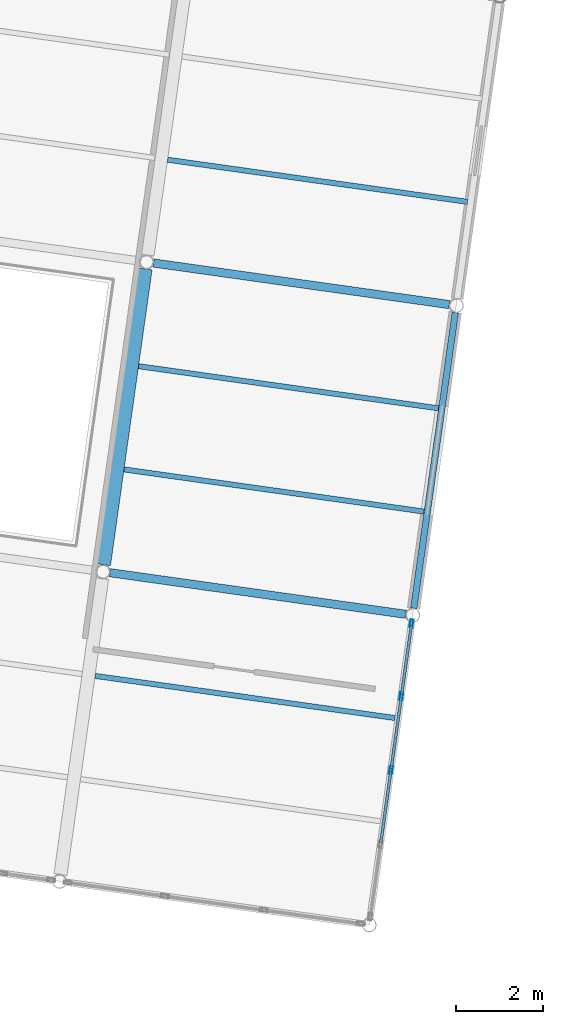
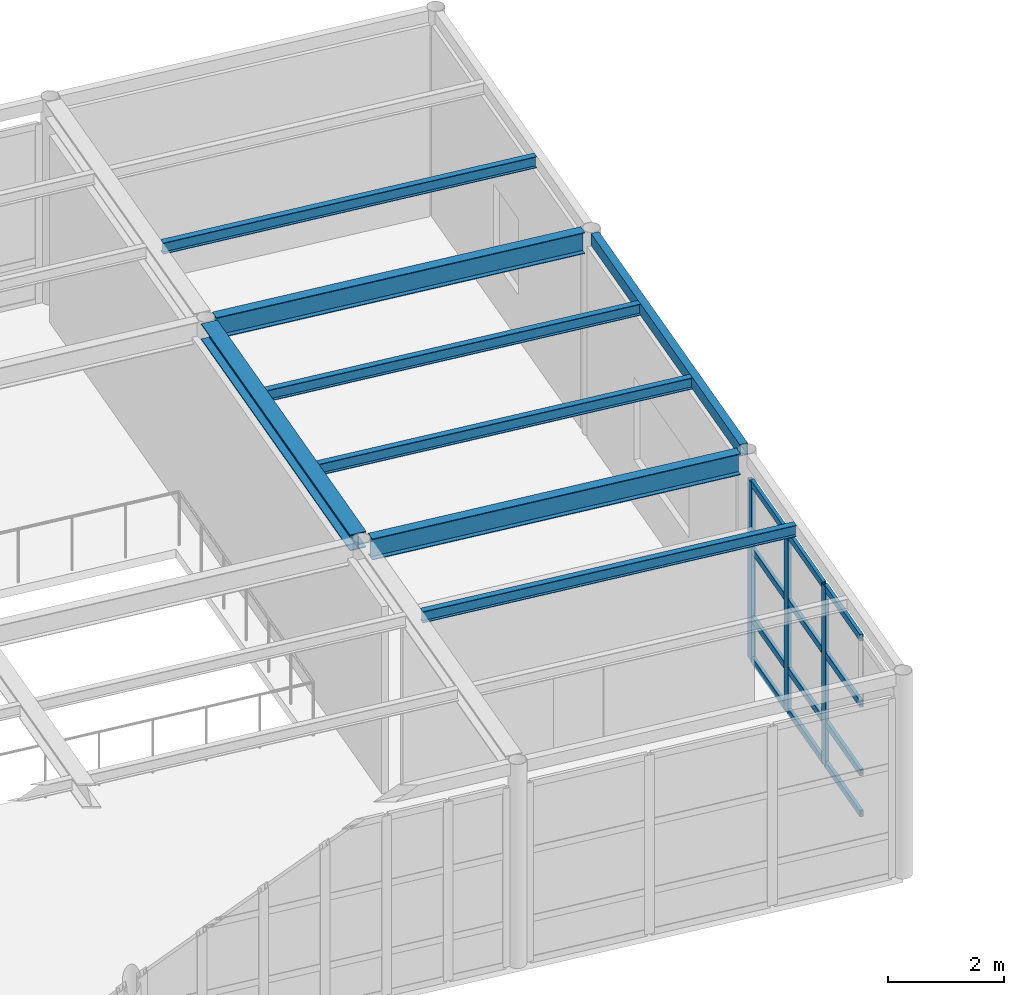
# One storey, part 35 of 80: 15 members, 8 beams, 1 element without a shape of its own.
"""IFC4 building model written with IfcOpenShell, lengths in metres."""

from ifc_helpers import new_model, si_unit, direction, frame, origin, origin_2d, place, context, subcontext, project, spatial, hollow_rectangle, i_section, extrude, material, layer, layer_set, material_profile, profile_set, type_object, element, aggregate, save


model = new_model("IFC4")

# Units and contexts
model_context = context("Model", 3, precision=1e-05, world=origin(), true_north=direction((0.0, 1.0)))
body_context = subcontext(model_context, "Body", "Model", "MODEL_VIEW")
ifc_project = project(units=[si_unit("LENGTHUNIT", "METRE"), si_unit("AREAUNIT", "SQUARE_METRE"), si_unit("VOLUMEUNIT", "CUBIC_METRE"), si_unit("PLANEANGLEUNIT", "RADIAN"), si_unit("MASSUNIT", "GRAM", prefix="KILO")], contexts=[model_context])

# Site, building, storey
site_placement = place(None, origin())
site = spatial("IfcSite", under=ifc_project, at=site_placement, CompositionType="ELEMENT")
building_placement = place(site_placement, origin())
building = spatial("IfcBuilding", under=site, at=building_placement, Name="Kharisveld Research Institute", CompositionType="ELEMENT")
storey_placement = place(building_placement, frame((0.0, 0.0, 5.10009765625)))
storey = spatial("IfcBuildingStorey", under=building, at=storey_placement, Name="L01", CompositionType="ELEMENT", Elevation=5.10009765625)

# Beams
ifc_material_1 = material(Name="Steel S355JR", Category="steel")
ifc_material_profile_1 = material_profile(ifc_material_1, i_section(OverallWidth=0.300048828125, OverallDepth=0.340087890625, WebThickness=0.011962890625, FlangeThickness=0.021484375, at=origin_2d()))
ifc_profile_set_1 = profile_set([ifc_material_profile_1], Name="Steel S355JR")
beam_type_1 = type_object("IfcBeamType", Name="BM_ST_HEA300", PredefinedType="BEAM", material=ifc_profile_set_1)
beam_1_placement = place(storey_placement, frame((97.414306640625, 21.7841796875, 4.139892578125), z_axis=(0.139184107758, 0.990266521775, 0.0), x_axis=(-0.990266521775, 0.139184107758, 0.0)))
element("IfcBeam", 1, at=beam_1_placement, inside=storey, type_object=beam_type_1, Name="BM:V4:L01:V3_1", PredefinedType="BEAM", context=body_context, shape_type="SweptSolid", body=[
    extrude(i_section(OverallWidth=0.300048828125, OverallDepth=0.340087890625, WebThickness=0.011962890625, FlangeThickness=0.021484375, at=origin_2d()), origin(), (0.0, 0.0, 1.0), 6.8759765625),
])
ifc_material_2 = material(Name="Steel S355JR", Category="steel")
ifc_material_profile_2 = material_profile(ifc_material_2, i_section(OverallWidth=0.18994140625, OverallDepth=0.449951171875, WebThickness=0.009521484375, FlangeThickness=0.0146484375, at=origin_2d()))
ifc_profile_set_2 = profile_set([ifc_material_profile_2], Name="Steel S355JR")
beam_type_2 = type_object("IfcBeamType", Name="BM_ST_IPE450", PredefinedType="BEAM", material=ifc_profile_set_2)
beam_2_placement = place(storey_placement, frame((97.55224609375, 21.601318359375, 4.0849609375), z_axis=(0.990266521775, -0.139184107758, 0.0), x_axis=(0.139184107758, 0.990266521775, 0.0)))
element("IfcBeam", 2, at=beam_2_placement, inside=storey, type_object=beam_type_2, Name="BM:V4:L01:U3_1", PredefinedType="BEAM", context=body_context, shape_type="SweptSolid", body=[
    extrude(i_section(OverallWidth=0.18994140625, OverallDepth=0.449951171875, WebThickness=0.009521484375, FlangeThickness=0.0146484375, at=origin_2d()), origin(), (0.0, 0.0, 1.0), 6.8759765625),
])
beam_3_placement = place(storey_placement, frame((98.55419921875, 28.731201171875, 4.0849609375), z_axis=(0.990267209571, -0.139179214138, 0.0), x_axis=(0.139179214138, 0.990267209571, 0.0)))
element("IfcBeam", 3, at=beam_3_placement, inside=storey, type_object=beam_type_2, Name="BM:V4:L01:U3_2", PredefinedType="BEAM", context=body_context, shape_type="SweptSolid", body=[
    extrude(i_section(OverallWidth=0.18994140625, OverallDepth=0.449951171875, WebThickness=0.009521484375, FlangeThickness=0.0146484375, at=origin_2d()), origin(), (0.0, 0.0, 1.0), 6.876220703125),
])

# Curtain wall, members
ifc_material_3 = material(Name="Thermally Broken Aluminium Curtain Wall", Category="aluminium")
ifc_layer = layer(ifc_material_3, 0.159912109375)
ifc_layer_set = layer_set([ifc_layer], Name="CW_SYS_05")
curtain_wall_type = type_object("IfcCurtainWallType", Name="CW_SYS_05", PredefinedType="NOTDEFINED", material=ifc_layer_set)
curtain_wall_placement = place(storey_placement, origin())
curtain_wall = element("IfcCurtainWall", 4, at=curtain_wall_placement, inside=storey, type_object=curtain_wall_type, Name="CW:V4:L01:E1", PredefinedType="NOTDEFINED")
ifc_material_4 = material(Name="Anodised Aluminium AW-6063-T6", Category="aluminium")
ifc_material_profile_3 = material_profile(ifc_material_4, hollow_rectangle(XDim=0.070068359375, YDim=0.179931640625, WallThickness=0.00439453125, at=origin_2d()))
ifc_profile_set_3 = profile_set([ifc_material_profile_3], Name="Anodised Aluminium AW-6063-T6")
member_type_1 = type_object("IfcMemberType", Name="CW_MUL_180", PredefinedType="MULLION", material=ifc_profile_set_3)
member_1_placement = place(storey_placement, frame((104.4951171875, 20.431640625, 0.0), z_axis=(0.0, 0.0, 1.0), x_axis=(0.990268048413, -0.139173245605, 0.0)))
member_1 = element("IfcMember", 5, at=member_1_placement, type_object=member_type_1, Name="CW-05 mullion 1", PredefinedType="MULLION", context=body_context, shape_type="SweptSolid", body=[
    extrude(hollow_rectangle(XDim=0.070068359375, YDim=0.179931640625, WallThickness=0.00439453125, at=origin_2d()), origin(), (0.0, 0.0, 1.0), 3.77978515625),
])
member_2_placement = place(storey_placement, frame((104.26025390625, 18.761474609375, 0.0), z_axis=(0.0, 0.0, 1.0), x_axis=(0.990268048413, -0.139173245605, 0.0)))
member_2 = element("IfcMember", 6, at=member_2_placement, type_object=member_type_1, Name="CW-05 mullion 2", PredefinedType="MULLION", context=body_context, shape_type="SweptSolid", body=[
    extrude(hollow_rectangle(XDim=0.070068359375, YDim=0.179931640625, WallThickness=0.00439453125, at=origin_2d()), origin(), (0.0, 0.0, 1.0), 3.77978515625),
])
member_3_placement = place(storey_placement, frame((104.020751953125, 17.056884765625, 0.0), z_axis=(0.0, 0.0, 1.0), x_axis=(0.990268048413, -0.139173245605, 0.0)))
member_3 = element("IfcMember", 7, at=member_3_placement, type_object=member_type_1, Name="CW-05 mullion 3", PredefinedType="MULLION", context=body_context, shape_type="SweptSolid", body=[
    extrude(hollow_rectangle(XDim=0.070068359375, YDim=0.179931640625, WallThickness=0.00439453125, at=origin_2d()), origin(), (0.0, 0.0, 1.0), 3.77978515625),
])
ifc_material_5 = material(Name="Anodised Aluminium AW-6063-T6", Category="aluminium")
ifc_material_profile_4 = material_profile(ifc_material_5, hollow_rectangle(XDim=0.06494140625, YDim=0.139892578125, WallThickness=0.00390625, at=origin_2d()))
ifc_profile_set_4 = profile_set([ifc_material_profile_4], Name="Anodised Aluminium AW-6063-T6")
member_type_2 = type_object("IfcMemberType", Name="CW_TRN_140", PredefinedType="USERDEFINED", material=ifc_profile_set_4)
member_4_placement = place(storey_placement, frame((104.490234375, 20.39697265625, 0.032470703125), z_axis=(-0.139243261512, -0.990258205785, 0.0), x_axis=(0.990258205785, -0.139243261512, 0.0)))
member_4 = element("IfcMember", 8, at=member_4_placement, type_object=member_type_2, Name="CW-05 transom 1.1", ObjectType="TRANSOM", PredefinedType="USERDEFINED", context=body_context, shape_type="SweptSolid", body=[
    extrude(hollow_rectangle(XDim=0.06494140625, YDim=0.139892578125, WallThickness=0.00390625, at=origin_2d()), origin(), (0.0, 0.0, 1.0), 1.61669921875),
])
member_5_placement = place(storey_placement, frame((104.490234375, 20.39697265625, 0.89990234375), z_axis=(-0.139243261512, -0.990258205785, 0.0), x_axis=(0.990258205785, -0.139243261512, 0.0)))
member_5 = element("IfcMember", 9, at=member_5_placement, type_object=member_type_2, Name="CW-05 transom 1.2", ObjectType="TRANSOM", PredefinedType="USERDEFINED", context=body_context, shape_type="SweptSolid", body=[
    extrude(hollow_rectangle(XDim=0.06494140625, YDim=0.139892578125, WallThickness=0.00390625, at=origin_2d()), origin(), (0.0, 0.0, 1.0), 1.61669921875),
])
member_6_placement = place(storey_placement, frame((104.490234375, 20.39697265625, 2.349853515625), z_axis=(-0.139243261512, -0.990258205785, 0.0), x_axis=(0.990258205785, -0.139243261512, 0.0)))
member_6 = element("IfcMember", 10, at=member_6_placement, type_object=member_type_2, Name="CW-05 transom 1.3", ObjectType="TRANSOM", PredefinedType="USERDEFINED", context=body_context, shape_type="SweptSolid", body=[
    extrude(hollow_rectangle(XDim=0.06494140625, YDim=0.139892578125, WallThickness=0.00390625, at=origin_2d()), origin(), (0.0, 0.0, 1.0), 1.61669921875),
])
member_7_placement = place(storey_placement, frame((104.490234375, 20.39697265625, 3.747314453125), z_axis=(-0.139243261512, -0.990258205785, 0.0), x_axis=(0.990258205785, -0.139243261512, 0.0)))
member_7 = element("IfcMember", 11, at=member_7_placement, type_object=member_type_2, Name="CW-05 transom 1.4", ObjectType="TRANSOM", PredefinedType="USERDEFINED", context=body_context, shape_type="SweptSolid", body=[
    extrude(hollow_rectangle(XDim=0.06494140625, YDim=0.139892578125, WallThickness=0.00390625, at=origin_2d()), origin(), (0.0, 0.0, 1.0), 1.61669921875),
])
member_8_placement = place(storey_placement, frame((104.25537109375, 18.726806640625, 0.032470703125), z_axis=(-0.139123442632, -0.990275046495, 0.0), x_axis=(0.990275046495, -0.139123442632, 0.0)))
member_8 = element("IfcMember", 12, at=member_8_placement, type_object=member_type_2, Name="CW-05 transom 2.1", ObjectType="TRANSOM", PredefinedType="USERDEFINED", context=body_context, shape_type="SweptSolid", body=[
    extrude(hollow_rectangle(XDim=0.06494140625, YDim=0.139892578125, WallThickness=0.00390625, at=origin_2d()), origin(), (0.0, 0.0, 1.0), 1.6513671875),
])
member_9_placement = place(storey_placement, frame((104.25537109375, 18.726806640625, 0.89990234375), z_axis=(-0.139123442632, -0.990275046495, 0.0), x_axis=(0.990275046495, -0.139123442632, 0.0)))
member_9 = element("IfcMember", 13, at=member_9_placement, type_object=member_type_2, Name="CW-05 transom 2.2", ObjectType="TRANSOM", PredefinedType="USERDEFINED", context=body_context, shape_type="SweptSolid", body=[
    extrude(hollow_rectangle(XDim=0.06494140625, YDim=0.139892578125, WallThickness=0.00390625, at=origin_2d()), origin(), (0.0, 0.0, 1.0), 1.6513671875),
])
member_10_placement = place(storey_placement, frame((104.25537109375, 18.726806640625, 2.349853515625), z_axis=(-0.139123442632, -0.990275046495, 0.0), x_axis=(0.990275046495, -0.139123442632, 0.0)))
member_10 = element("IfcMember", 14, at=member_10_placement, type_object=member_type_2, Name="CW-05 transom 2.3", ObjectType="TRANSOM", PredefinedType="USERDEFINED", context=body_context, shape_type="SweptSolid", body=[
    extrude(hollow_rectangle(XDim=0.06494140625, YDim=0.139892578125, WallThickness=0.00390625, at=origin_2d()), origin(), (0.0, 0.0, 1.0), 1.6513671875),
])
member_11_placement = place(storey_placement, frame((104.25537109375, 18.726806640625, 3.747314453125), z_axis=(-0.139123442632, -0.990275046495, 0.0), x_axis=(0.990275046495, -0.139123442632, 0.0)))
member_11 = element("IfcMember", 15, at=member_11_placement, type_object=member_type_2, Name="CW-05 transom 2.4", ObjectType="TRANSOM", PredefinedType="USERDEFINED", context=body_context, shape_type="SweptSolid", body=[
    extrude(hollow_rectangle(XDim=0.06494140625, YDim=0.139892578125, WallThickness=0.00390625, at=origin_2d()), origin(), (0.0, 0.0, 1.0), 1.6513671875),
])
member_12_placement = place(storey_placement, frame((104.015869140625, 17.022216796875, 0.032470703125), z_axis=(-0.139103076719, -0.990277907482, 0.0), x_axis=(0.990277907482, -0.139103076719, 0.0)))
member_12 = element("IfcMember", 16, at=member_12_placement, type_object=member_type_2, Name="CW-05 transom 3.1", ObjectType="TRANSOM", PredefinedType="USERDEFINED", context=body_context, shape_type="SweptSolid", body=[
    extrude(hollow_rectangle(XDim=0.06494140625, YDim=0.139892578125, WallThickness=0.00390625, at=origin_2d()), origin(), (0.0, 0.0, 1.0), 1.651611328125),
])
member_13_placement = place(storey_placement, frame((104.015869140625, 17.022216796875, 0.89990234375), z_axis=(-0.139103076719, -0.990277907482, 0.0), x_axis=(0.990277907482, -0.139103076719, 0.0)))
member_13 = element("IfcMember", 17, at=member_13_placement, type_object=member_type_2, Name="CW-05 transom 3.2", ObjectType="TRANSOM", PredefinedType="USERDEFINED", context=body_context, shape_type="SweptSolid", body=[
    extrude(hollow_rectangle(XDim=0.06494140625, YDim=0.139892578125, WallThickness=0.00390625, at=origin_2d()), origin(), (0.0, 0.0, 1.0), 1.651611328125),
])
member_14_placement = place(storey_placement, frame((104.015869140625, 17.022216796875, 2.349853515625), z_axis=(-0.139103076719, -0.990277907482, 0.0), x_axis=(0.990277907482, -0.139103076719, 0.0)))
member_14 = element("IfcMember", 18, at=member_14_placement, type_object=member_type_2, Name="CW-05 transom 3.3", ObjectType="TRANSOM", PredefinedType="USERDEFINED", context=body_context, shape_type="SweptSolid", body=[
    extrude(hollow_rectangle(XDim=0.06494140625, YDim=0.139892578125, WallThickness=0.00390625, at=origin_2d()), origin(), (0.0, 0.0, 1.0), 1.651611328125),
])
member_15_placement = place(storey_placement, frame((104.015869140625, 17.022216796875, 3.747314453125), z_axis=(-0.139103076719, -0.990277907482, 0.0), x_axis=(0.990277907482, -0.139103076719, 0.0)))
member_15 = element("IfcMember", 19, at=member_15_placement, type_object=member_type_2, Name="CW-05 transom 3.4", ObjectType="TRANSOM", PredefinedType="USERDEFINED", context=body_context, shape_type="SweptSolid", body=[
    extrude(hollow_rectangle(XDim=0.06494140625, YDim=0.139892578125, WallThickness=0.00390625, at=origin_2d()), origin(), (0.0, 0.0, 1.0), 1.651611328125),
])
aggregate(curtain_wall, [member_1, member_2, member_3, member_4, member_5, member_6, member_7, member_8, member_9, member_10, member_11, member_12, member_13, member_14, member_15])

# Beams
ifc_material_6 = material(Name="Steel S355JR", Category="steel")
ifc_material_profile_5 = material_profile(ifc_material_6, i_section(OverallWidth=0.1201171875, OverallDepth=0.239990234375, WebThickness=0.006103515625, FlangeThickness=0.009765625, at=origin_2d()))
ifc_profile_set_5 = profile_set([ifc_material_profile_5], Name="Steel S355JR")
beam_type_3 = type_object("IfcBeamType", Name="JS_ST_IPE240", PredefinedType="JOIST", material=ifc_profile_set_5)
beam_4_placement = place(storey_placement, frame((97.206298828125, 19.226318359375, 4.18994140625), z_axis=(0.990268943271, -0.139166878215, 0.0), x_axis=(0.139166878215, 0.990268943271, 0.0)))
element("IfcBeam", 20, at=beam_4_placement, inside=storey, type_object=beam_type_3, Name="BM:V4:L01:J_3_0_R2", PredefinedType="JOIST", context=body_context, shape_type="SweptSolid", body=[
    extrude(i_section(OverallWidth=0.1201171875, OverallDepth=0.239990234375, WebThickness=0.006103515625, FlangeThickness=0.009765625, at=origin_2d()), origin(), (0.0, 0.0, 1.0), 6.97509765625),
])
for number, where, z_axis, x_axis, name in (
    (21, (97.87451171875, 23.9794921875, 4.18994140625), (0.990268265343, -0.139171702061, 0.0), (0.139171702061, 0.990268265343, 0.0), "BM:V4:L01:J_3_1_R1"),
    (22, (98.20849609375, 26.356201171875, 4.18994140625), (0.990268265343, -0.139171702061, 0.0), (0.139171702061, 0.990268265343, 0.0), "BM:V4:L01:J_3_1_R2"),
    (23, (98.87646484375, 31.109375, 4.18994140625), (0.990268265343, -0.139171702061, 0.0), (0.139171702061, 0.990268265343, 0.0), "BM:V4:L01:J_3_2_R1"),
):
    element("IfcBeam", number, at=place(storey_placement, frame(where, z_axis=z_axis, x_axis=x_axis)), inside=storey, type_object=beam_type_3, Name=name, PredefinedType="JOIST", context=body_context, shape_type="SweptSolid", body=[
        extrude(i_section(OverallWidth=0.1201171875, OverallDepth=0.239990234375, WebThickness=0.006103515625, FlangeThickness=0.009765625, at=origin_2d()), origin(), (0.0, 0.0, 1.0), 6.974853515625),
    ])
ifc_material_7 = material(Name="Steel S355J2H", Category="steel")
ifc_material_profile_6 = material_profile(ifc_material_7, hollow_rectangle(XDim=0.14990234375, YDim=0.25, WallThickness=0.010009765625, at=origin_2d()))
ifc_profile_set_6 = profile_set([ifc_material_profile_6], Name="Steel S355J2H")
beam_type_4 = type_object("IfcBeamType", Name="SP_ST_RHS250", PredefinedType="SPANDREL", material=ifc_profile_set_6)
beam_5_placement = place(storey_placement, frame((104.544189453125, 20.7822265625, 4.184814453125), z_axis=(0.139184107758, 0.990266521775, 0.0), x_axis=(-0.990266521775, 0.139184107758, 0.0)))
element("IfcBeam", 24, at=beam_5_placement, inside=storey, type_object=beam_type_4, Name="BM:V4:L01:V4_1", PredefinedType="SPANDREL", context=body_context, shape_type="SweptSolid", body=[
    extrude(hollow_rectangle(XDim=0.14990234375, YDim=0.25, WallThickness=0.010009765625, at=origin_2d()), origin(), (0.0, 0.0, 1.0), 6.8759765625),
])

save(model, "model.ifc")
